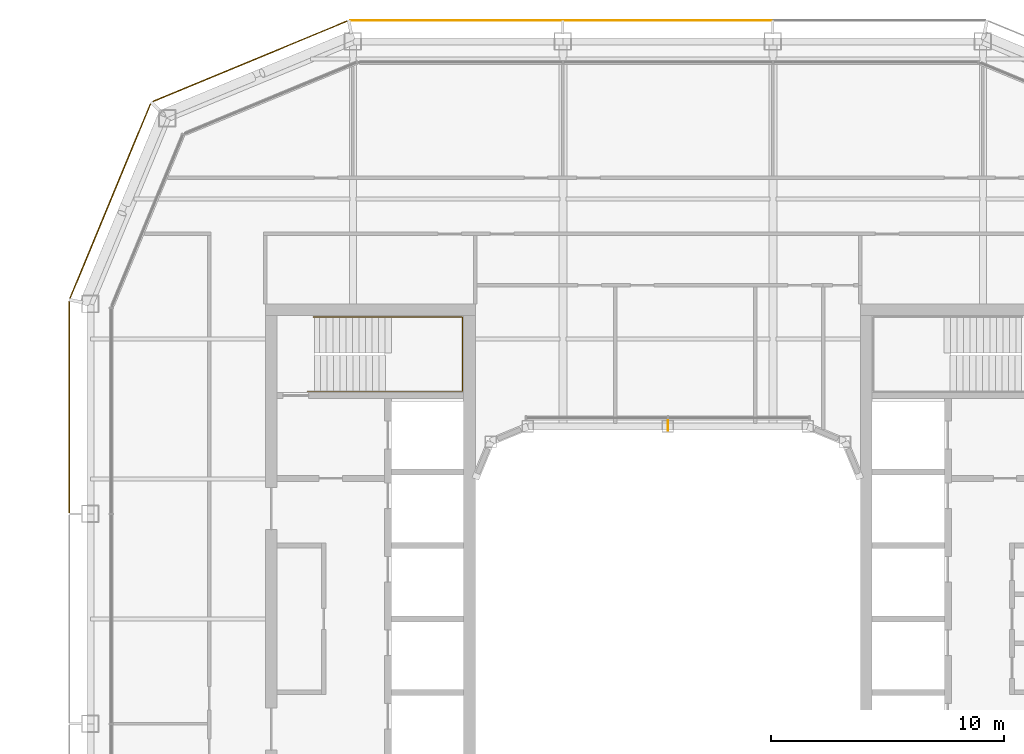
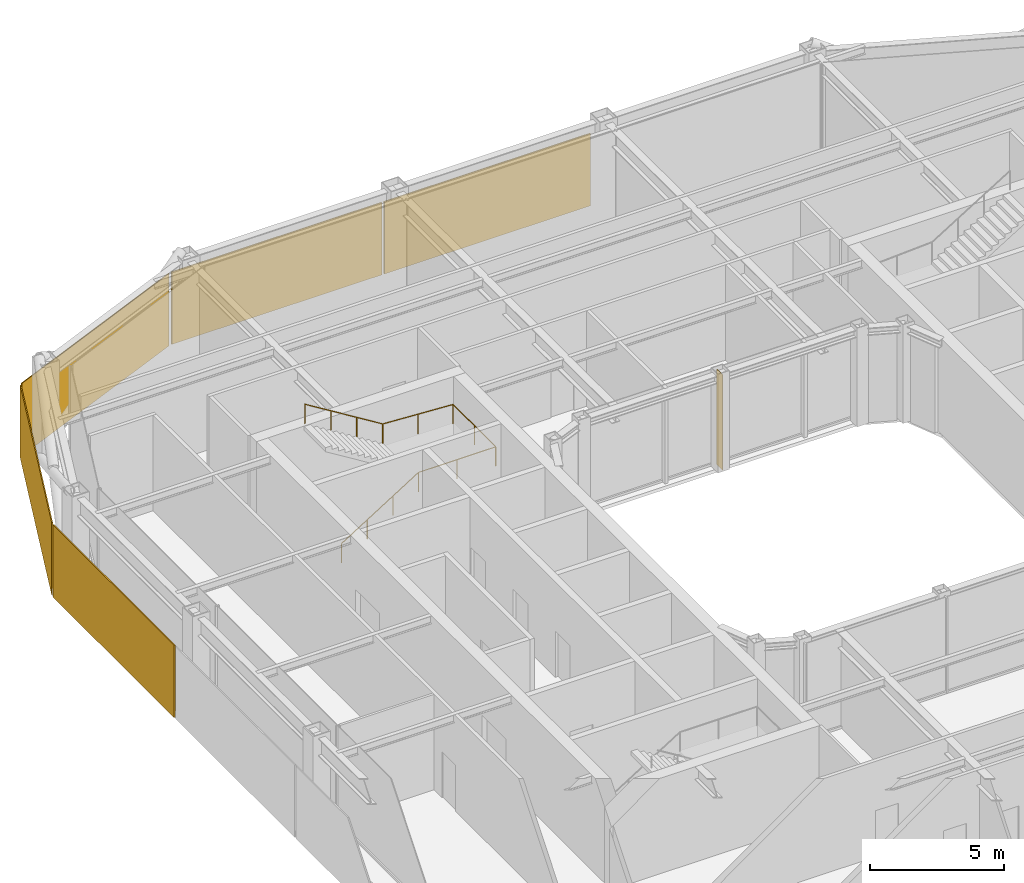
# One storey, part 18 of 20: 5 coverings, 1 railing, 1 shading device.
"""IFC4 building model written with IfcOpenShell, lengths in metres."""

from ifc_helpers import new_model, si_unit, direction, frame, origin, origin_2d, place, context, subcontext, project, spatial, rectangle, circle, extrude, material, layer, layer_set, type_object, element, save


model = new_model("IFC4")

# Units and contexts
model_context = context("Model", 3, precision=1e-05, world=origin(), true_north=direction((0.0, 1.0)))
body_context = subcontext(model_context, "Body", "Model", "MODEL_VIEW")
ifc_project = project(units=[si_unit("LENGTHUNIT", "METRE"), si_unit("AREAUNIT", "SQUARE_METRE"), si_unit("VOLUMEUNIT", "CUBIC_METRE"), si_unit("PLANEANGLEUNIT", "RADIAN"), si_unit("MASSUNIT", "GRAM", prefix="KILO")], contexts=[model_context])

# Site, building, storey
site_placement = place(None, origin())
site = spatial("IfcSite", under=ifc_project, at=site_placement, CompositionType="ELEMENT")
building_placement = place(site_placement, origin())
building = spatial("IfcBuilding", under=site, at=building_placement, Name="Siwar Civic Tower", CompositionType="ELEMENT")
storey_placement = place(building_placement, frame((0.0, 0.0, 316.699951171875)))
storey = spatial("IfcBuildingStorey", under=building, at=storey_placement, Name="L68", CompositionType="ELEMENT", Elevation=316.699951171875)

# Railing
ifc_material_1 = material(Name="Stainless steel", Category="steel")
railing_type = type_object("IfcRailingType", Name="CORE-STAIR-HANDRAIL", PredefinedType="HANDRAIL", material=ifc_material_1)
railing_placement = place(storey_placement, frame((-15.449951171875, 9.758056640625, 0.173095703125)))
element("IfcRailing", 1, at=railing_placement, inside=storey, type_object=railing_type, Name="Stair handrail ST1", PredefinedType="HANDRAIL", context=body_context, shape_type="SweptSolid", body=[
    extrude(circle(Radius=0.02001953125, at=origin_2d()), frame((0.0, 0.0, 0.8798828125), z_axis=(0.847063342986, 0.0, 0.531491950051), x_axis=(0.0, 1.0, 0.0)), (0.0, 0.0, 1.0), 3.90771484375),
    extrude(circle(Radius=0.02001953125, at=origin_2d()), frame((3.31005859375, 0.0, 2.956787109375), z_axis=(1.0, 0.0, 0.0), x_axis=(0.0, 1.0, 0.0)), (0.0, 0.0, 1.0), 3.331787109375),
    extrude(circle(Radius=0.02001953125, at=origin_2d()), frame((6.641845703125, 0.0, 2.956787109375), z_axis=(0.0, 1.0, 0.0), x_axis=(-1.0, 0.0, 0.0)), (0.0, 0.0, 1.0), 3.183837890625),
    extrude(circle(Radius=0.02001953125, at=origin_2d()), frame((6.641845703125, 3.183837890625, 2.956787109375), z_axis=(-0.99837434197, 0.0, 0.056997134106), x_axis=(0.0, -1.0, 0.0)), (0.0, 0.0, 1.0), 3.036865234375),
    extrude(circle(Radius=0.02001953125, at=origin_2d()), frame((3.60986328125, 3.183837890625, 3.1298828125), z_axis=(-0.850606129759, 0.0, 0.525803396734), x_axis=(0.0, -1.0, 0.0)), (0.0, 0.0, 1.0), 3.949951171875),
    extrude(circle(Radius=0.02001953125, at=origin_2d()), origin(), (0.0, 0.0, 1.0), 0.85986328125),
    extrude(circle(Radius=0.02001953125, at=origin_2d()), frame((1.103271484375, 0.0, 0.6923828125)), (0.0, 0.0, 1.0), 0.85986328125),
    extrude(circle(Radius=0.02001953125, at=origin_2d()), frame((2.206787109375, 0.0, 1.384521484375)), (0.0, 0.0, 1.0), 0.85986328125),
    extrude(circle(Radius=0.02001953125, at=origin_2d()), frame((3.31005859375, 0.0, 2.076904296875)), (0.0, 0.0, 1.0), 0.85986328125),
    extrude(circle(Radius=0.02001953125, at=origin_2d()), frame((4.97607421875, 0.0, 2.076904296875)), (0.0, 0.0, 1.0), 0.85986328125),
    extrude(circle(Radius=0.02001953125, at=origin_2d()), frame((6.641845703125, 0.0, 2.076904296875)), (0.0, 0.0, 1.0), 0.85986328125),
    extrude(circle(Radius=0.02001953125, at=origin_2d()), frame((6.641845703125, 1.591796875, 2.076904296875)), (0.0, 0.0, 1.0), 0.85986328125),
    extrude(circle(Radius=0.02001953125, at=origin_2d()), frame((6.641845703125, 3.183837890625, 2.076904296875)), (0.0, 0.0, 1.0), 0.85986328125),
    extrude(circle(Radius=0.02001953125, at=origin_2d()), frame((5.1259765625, 3.183837890625, 2.16357421875)), (0.0, 0.0, 1.0), 0.85986328125),
    extrude(circle(Radius=0.02001953125, at=origin_2d()), frame((3.60986328125, 3.183837890625, 2.25)), (0.0, 0.0, 1.0), 0.85986328125),
    extrude(circle(Radius=0.02001953125, at=origin_2d()), frame((2.489990234375, 3.183837890625, 2.9423828125)), (0.0, 0.0, 1.0), 0.85986328125),
    extrude(circle(Radius=0.02001953125, at=origin_2d()), frame((1.369873046875, 3.183837890625, 3.634521484375)), (0.0, 0.0, 1.0), 0.85986328125),
    extrude(circle(Radius=0.02001953125, at=origin_2d()), frame((0.25, 3.183837890625, 4.326904296875)), (0.0, 0.0, 1.0), 0.85986328125),
])

# Shading device
ifc_material_2 = material(Name="Aluminium 6063-T6", Category="aluminium")
ifc_layer_1 = layer(ifc_material_2, 0.02001953125)
ifc_layer_set_1 = layer_set([ifc_layer_1], Name="Aluminium 6063-T6")
shading_device_type = type_object("IfcShadingDeviceType", Name="ENV-FIN", PredefinedType="JALOUSIE", material=ifc_layer_set_1)
shading_device_placement = place(storey_placement, frame((0.0, 8.294921875, 0.0), z_axis=(0.0, 0.0, 1.0), x_axis=(-1.0, 0.0, 0.0)))
element("IfcShadingDevice", 2, at=shading_device_placement, inside=storey, type_object=shading_device_type, Name="SUNSHADE fin WN 1", PredefinedType="JALOUSIE", context=body_context, shape_type="SweptSolid", body=[
    extrude(rectangle(XDim=0.02001953125, YDim=0.449951171875, at=origin_2d()), origin(), (0.0, 0.0, 1.0), 4.35009765625),
])

# Coverings
ifc_material_3 = material(Name="Perforated aluminium cassette, pale metal", Category="aluminium")
ifc_layer_2 = layer(ifc_material_3, 0.0400390625)
ifc_layer_set_2 = layer_set([ifc_layer_2], Name="Perforated aluminium cassette, pale metal")
covering_type_1 = type_object("IfcCoveringType", Name="ENV-OUTER SKIN OS-1", PredefinedType="CLADDING", material=ifc_layer_set_2)
covering_1_placement = place(storey_placement, frame((0.0, 25.64990234375, -0.14990234375), z_axis=(0.0, 0.0, 1.0), x_axis=(-1.0, 0.0, 0.0)))
element("IfcCovering", 3, at=covering_1_placement, inside=storey, type_object=covering_type_1, Name="OUTER SKIN OS-1 N 2", PredefinedType="CLADDING", context=body_context, shape_type="SweptSolid", body=[
    extrude(rectangle(XDim=8.89990234375, YDim=0.0400390625, at=origin_2d()), origin(), (0.0, 0.0, 1.0), 3.300048828125),
])
covering_2_placement = place(storey_placement, frame((-9.07958984375, 25.64990234375, -0.14990234375), z_axis=(0.0, 0.0, 1.0), x_axis=(-1.0, 0.0, 0.0)))
element("IfcCovering", 4, at=covering_2_placement, inside=storey, type_object=covering_type_1, Name="OUTER SKIN OS-1 N 3", PredefinedType="CLADDING", context=body_context, shape_type="SweptSolid", body=[
    extrude(rectangle(XDim=9.05908203125, YDim=0.0400390625, at=origin_2d()), origin(), (0.0, 0.0, 1.0), 3.300048828125),
])
covering_3_placement = place(storey_placement, frame((-17.911376953125, 23.89697265625, -0.14990234375), z_axis=(0.0, 0.0, 1.0), x_axis=(-0.923879532511, -0.382683432365, 0.0)))
element("IfcCovering", 5, at=covering_3_placement, inside=storey, type_object=covering_type_1, Name="OUTER SKIN OS-1 NW1 1", PredefinedType="CLADDING", context=body_context, shape_type="SweptSolid", body=[
    extrude(rectangle(XDim=9.022216796875, YDim=0.0400390625, at=origin_2d()), origin(), (0.0, 0.0, 1.0), 3.300048828125),
])
ifc_material_4 = material(Name="Perforated aluminium cassette, pale metal", Category="aluminium")
ifc_layer_3 = layer(ifc_material_4, 0.044921875)
ifc_layer_set_3 = layer_set([ifc_layer_3], Name="Perforated aluminium cassette, pale metal")
covering_type_2 = type_object("IfcCoveringType", Name="ENV-OUTER SKIN OS-2", PredefinedType="CLADDING", material=ifc_layer_set_3)
covering_4_placement = place(storey_placement, frame((-23.89697265625, 17.911376953125, -0.14990234375), z_axis=(0.0, 0.0, 1.0), x_axis=(-0.382683432365, -0.923879532511, 0.0)))
element("IfcCovering", 6, at=covering_4_placement, inside=storey, type_object=covering_type_2, Name="OUTER SKIN OS-2 NW2 1", PredefinedType="CLADDING", context=body_context, shape_type="SweptSolid", body=[
    extrude(rectangle(XDim=9.022216796875, YDim=0.044921875, at=origin_2d()), origin(), (0.0, 0.0, 1.0), 3.300048828125),
])
ifc_material_5 = material(Name="Perforated aluminium cassette, pale metal", Category="aluminium")
ifc_layer_4 = layer(ifc_material_5, 0.050048828125)
ifc_layer_set_4 = layer_set([ifc_layer_4], Name="Perforated aluminium cassette, pale metal")
covering_type_3 = type_object("IfcCoveringType", Name="ENV-OUTER SKIN OS-3", PredefinedType="CLADDING", material=ifc_layer_set_4)
covering_5_placement = place(storey_placement, frame((-25.64990234375, 9.07958984375, -0.14990234375), z_axis=(0.0, 0.0, 1.0), x_axis=(0.0, -1.0, 0.0)))
element("IfcCovering", 7, at=covering_5_placement, inside=storey, type_object=covering_type_3, Name="OUTER SKIN OS-3 W 1", PredefinedType="CLADDING", context=body_context, shape_type="SweptSolid", body=[
    extrude(rectangle(XDim=9.05908203125, YDim=0.050048828125, at=origin_2d()), origin(), (0.0, 0.0, 1.0), 3.300048828125),
])

save(model, "model.ifc")
